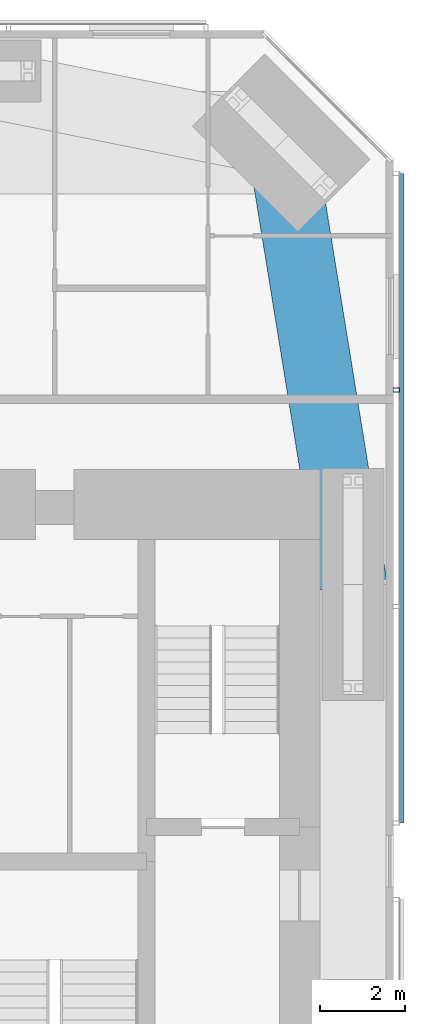
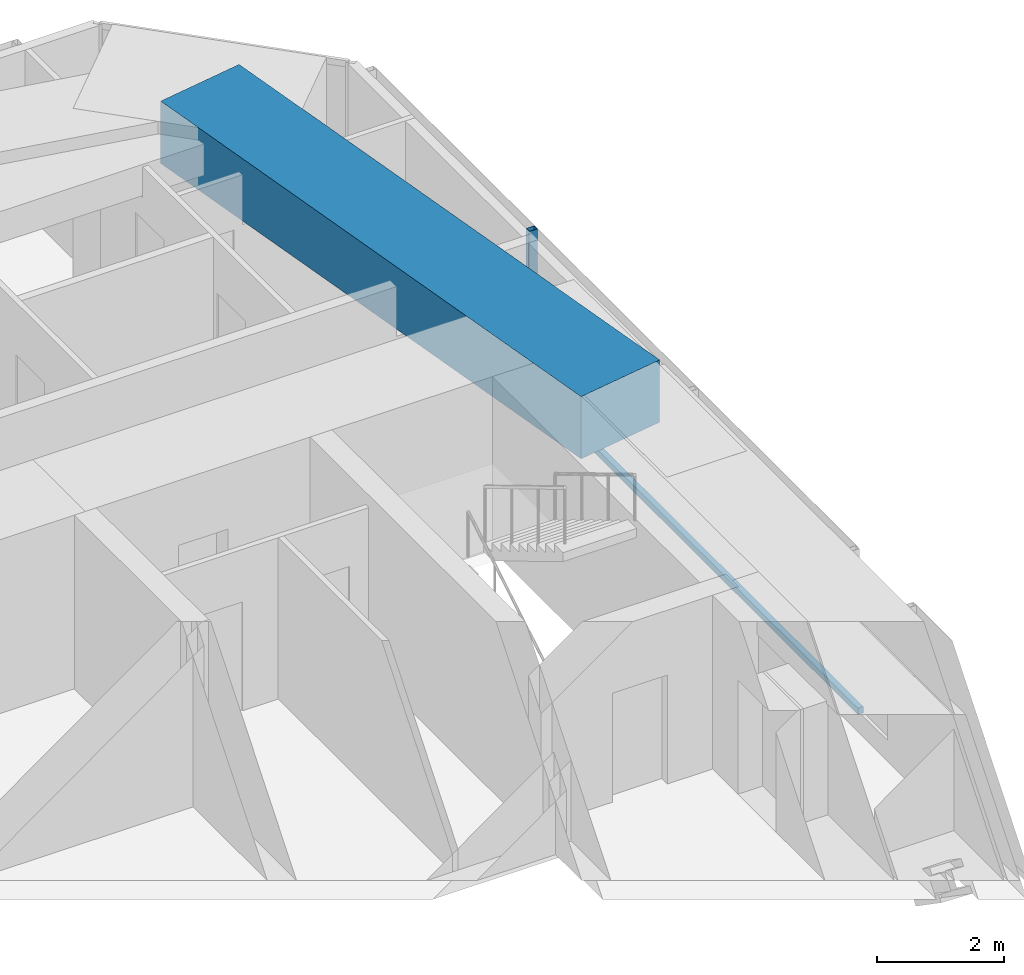
# One storey, part 10 of 23: 2 members, 1 beam, 1 element without a shape of its own.
"""IFC4 building model written with IfcOpenShell, lengths in metres."""

from ifc_helpers import new_model, si_unit, direction, frame, origin, origin_2d, place, context, subcontext, project, spatial, rectangle, hollow_rectangle, extrude, material, material_profile, profile_set, type_object, element, aggregate, save


model = new_model("IFC4")

# Units and contexts
model_context = context("Model", 3, precision=1e-05, world=origin(), true_north=direction((0.0, 1.0)))
body_context = subcontext(model_context, "Body", "Model", "MODEL_VIEW")
ifc_project = project(units=[si_unit("LENGTHUNIT", "METRE"), si_unit("AREAUNIT", "SQUARE_METRE"), si_unit("VOLUMEUNIT", "CUBIC_METRE"), si_unit("PLANEANGLEUNIT", "RADIAN"), si_unit("MASSUNIT", "GRAM", prefix="KILO")], contexts=[model_context])

# Site, building, storey
site_placement = place(None, origin())
site = spatial("IfcSite", under=ifc_project, at=site_placement, CompositionType="ELEMENT")
building_placement = place(site_placement, origin())
building = spatial("IfcBuilding", under=site, at=building_placement, Name="Jalousie Tower", CompositionType="ELEMENT")
storey_placement = place(building_placement, frame((0.0, 0.0, 34.39990234375)))
storey = spatial("IfcBuildingStorey", under=building, at=storey_placement, Name="L08", CompositionType="ELEMENT", Elevation=34.39990234375)

# Beam
ifc_material_1 = material(Name="Concrete f'c 40 MPa", Category="concrete")
ifc_material_profile_1 = material_profile(ifc_material_1, rectangle(XDim=1.60009765625, YDim=1.199951171875, at=origin_2d()), Name="RC 1600x1200")
ifc_profile_set_1 = profile_set([ifc_material_profile_1], Name="Concrete f'c 40 MPa")
beam_type = type_object("IfcBeamType", Name="RC BEAM 1600x1200", PredefinedType="BEAM", material=ifc_profile_set_1)
beam_placement = place(storey_placement, frame((45.050048828125, 25.0, 2.75), z_axis=(-0.160070546476, 0.987105577003, 0.0), x_axis=(-0.987105577003, -0.160070546476, 0.0)))
element("IfcBeam", 1, at=beam_placement, inside=storey, type_object=beam_type, Name="Edge band beam 07-08 under L09", PredefinedType="BEAM", context=body_context, shape_type="SweptSolid", body=[
    extrude(rectangle(XDim=1.60009765625, YDim=1.199951171875, at=origin_2d()), origin(), (0.0, 0.0, 1.0), 10.504150390625),
])

# Curtain wall, members
ifc_material_2 = material(Name="Perforated aluminium sheet", Category="aluminium")
curtain_wall_type = type_object("IfcCurtainWallType", Name="SOLAR SCREEN SS-1", PredefinedType="USERDEFINED", material=ifc_material_2)
curtain_wall_placement = place(storey_placement, origin())
curtain_wall = element("IfcCurtainWall", 2, at=curtain_wall_placement, inside=storey, type_object=curtain_wall_type, Name="Solar screen L08", ObjectType="SOLAR SCREEN SS-1", PredefinedType="USERDEFINED")
ifc_material_3 = material(Name="Steel ASTM A500 Grade C", Category="steel")
ifc_material_profile_2 = material_profile(ifc_material_3, hollow_rectangle(XDim=0.1015625, YDim=0.15234375, WallThickness=0.00634765625, at=origin_2d()), Name="HSS6X4X1/4")
ifc_profile_set_2 = profile_set([ifc_material_profile_2], Name="Steel ASTM A500 Grade C")
member_type_1 = type_object("IfcMemberType", Name="SOLAR SCREEN SS-1 MULLION", PredefinedType="MULLION", material=ifc_profile_set_2)
member_1_placement = place(storey_placement, frame((46.0712890625, 29.56591796875, -0.119873046875), z_axis=(0.0, 0.0, 1.0), x_axis=(0.0, 1.0, 0.0)))
member_1 = element("IfcMember", 3, at=member_1_placement, type_object=member_type_1, Name="SS1 post 3", PredefinedType="MULLION", context=body_context, shape_type="SweptSolid", body=[
    extrude(hollow_rectangle(XDim=0.1015625, YDim=0.15234375, WallThickness=0.00634765625, at=origin_2d()), origin(), (0.0, 0.0, 1.0), 3.22998046875),
])
ifc_material_4 = material(Name="Extruded aluminium screen rail", Category="aluminium")
ifc_material_profile_3 = material_profile(ifc_material_4, rectangle(XDim=0.1015625, YDim=0.1201171875, at=origin_2d()), Name="RAIL 102x120")
ifc_profile_set_3 = profile_set([ifc_material_profile_3], Name="Extruded aluminium screen rail")
member_type_2 = type_object("IfcMemberType", Name="SOLAR SCREEN SS-1 TRANSOM", PredefinedType="USERDEFINED", material=ifc_profile_set_3)
member_2_placement = place(storey_placement, frame((46.1982421875, 19.39990234375, -0.059814453125), z_axis=(0.0, 1.0, 0.0), x_axis=(-1.0, 0.0, 0.0)))
member_2 = element("IfcMember", 4, at=member_2_placement, type_object=member_type_2, Name="SS1 rail", ObjectType="TRANSOM", PredefinedType="USERDEFINED", context=body_context, shape_type="SweptSolid", body=[
    extrude(rectangle(XDim=0.1015625, YDim=0.1201171875, at=origin_2d()), origin(), (0.0, 0.0, 1.0), 15.248779296875),
])
aggregate(curtain_wall, [member_1, member_2])

save(model, "model.ifc")
